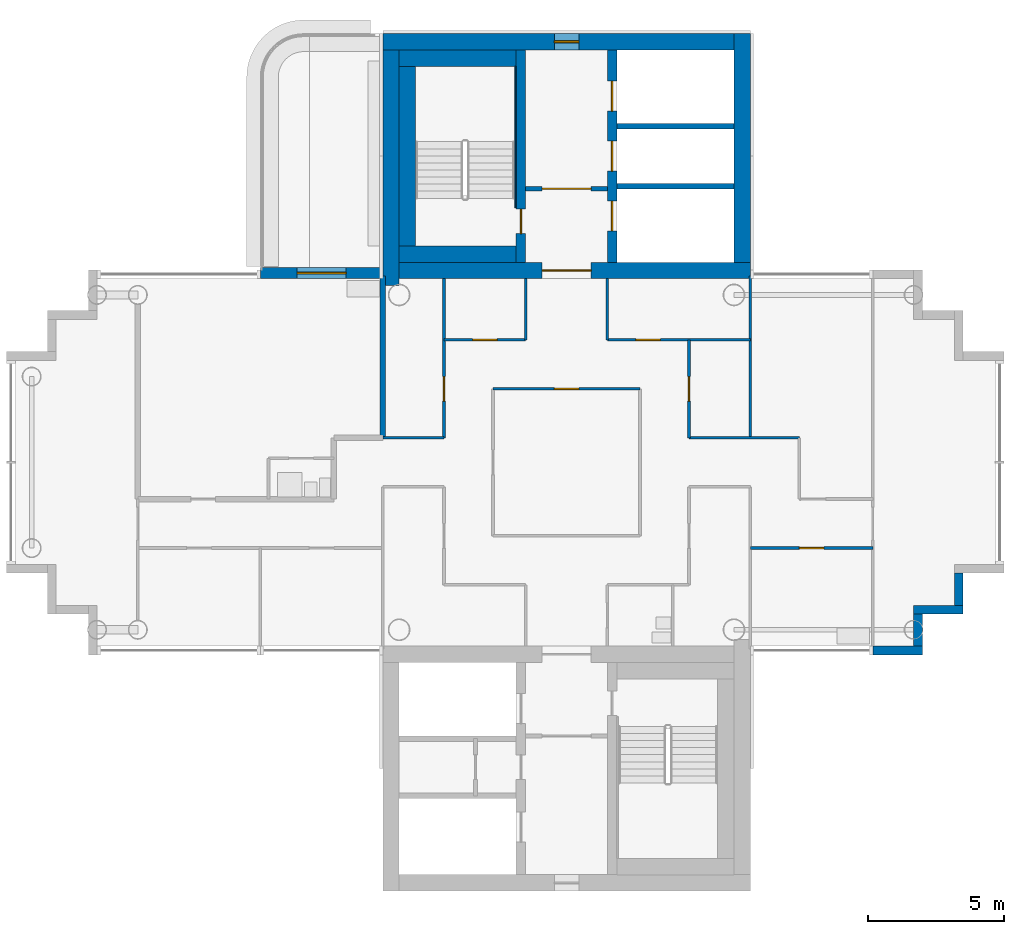
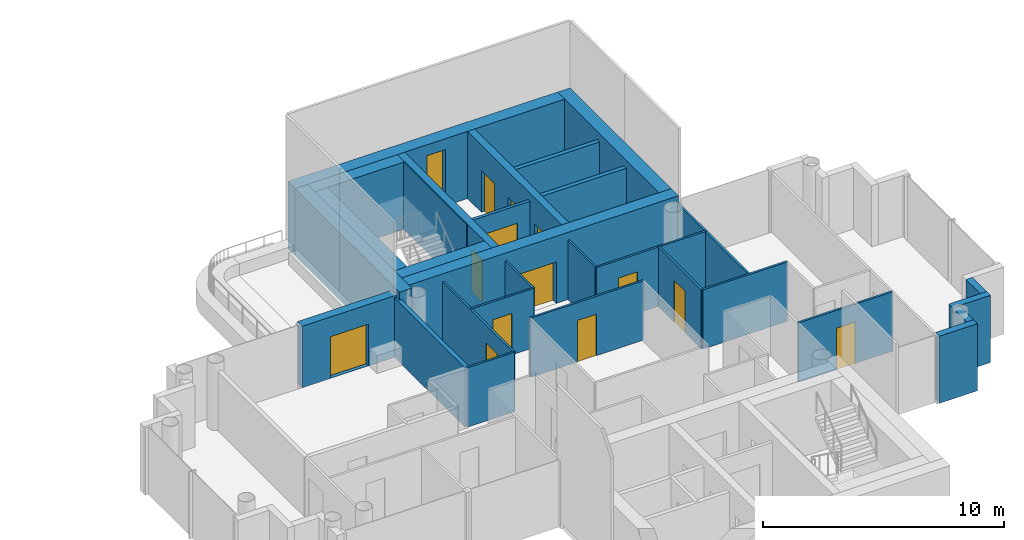
# One storey, part 10 of 18: 30 walls, 13 doors, 1 window, 14 openings.
"""IFC4 building model written with IfcOpenShell, lengths in metres."""

from ifc_helpers import new_model, si_unit, direction, frame, frame_2d, origin, place, context, subcontext, project, spatial, rectangle, extrude, material, layer, layer_set, type_object, element, fill, save


model = new_model("IFC4")

# Units and contexts
model_context = context("Model", 3, precision=1e-05, world=origin(), true_north=direction((0.0, 1.0)))
body_context = subcontext(model_context, "Body", "Model", "MODEL_VIEW")
ifc_project = project(units=[si_unit("LENGTHUNIT", "METRE"), si_unit("AREAUNIT", "SQUARE_METRE"), si_unit("VOLUMEUNIT", "CUBIC_METRE"), si_unit("PLANEANGLEUNIT", "RADIAN"), si_unit("MASSUNIT", "GRAM", prefix="KILO")], contexts=[model_context])

# Site, building, storey
site_placement = place(None, origin())
site = spatial("IfcSite", under=ifc_project, at=site_placement, CompositionType="ELEMENT")
building_placement = place(site_placement, origin())
building = spatial("IfcBuilding", under=site, at=building_placement, Name="Ipe Terrace Towers", CompositionType="ELEMENT")
storey_placement = place(building_placement, frame((0.0, 0.0, 226.60009765625)))
storey = spatial("IfcBuildingStorey", under=building, at=storey_placement, Name="L63", CompositionType="ELEMENT", Elevation=226.60009765625)

# Wall, opening, door
ifc_material_1 = material(Name="Concrete C40/50 with buff precast cladding", Category="concrete")
ifc_layer_1 = layer(ifc_material_1, 0.39990234375)
ifc_layer_set_1 = layer_set([ifc_layer_1], Name="BALCONY BAY WALL 400")
wall_type_1 = type_object("IfcWallType", Name="BALCONY BAY WALL 400", PredefinedType="STANDARD", material=ifc_layer_set_1)
wall_1_placement = place(storey_placement, frame((29.25, 6.949951171875, -0.02001953125), z_axis=(0.0, 0.0, 1.0), x_axis=(-1.0, 0.0, 0.0)))
wall_1 = element("IfcWall", 1, at=wall_1_placement, inside=storey, type_object=wall_type_1, Name="T2-W-L63-20a wall", PredefinedType="STANDARD", context=body_context, shape_type="SweptSolid", body=[
    extrude(rectangle(XDim=4.5, YDim=0.39990234375, at=frame_2d((2.25, 0.0))), origin(), (0.0, 0.0, 1.0), 3.119873046875),
])
opening_1_placement = place(wall_1_placement, frame((1.35009765625, 0.0, 0.02001953125)))
opening_1 = element("IfcOpeningElement", 2, at=opening_1_placement, cuts=wall_1, Name="Opening T2-D-L63-20", PredefinedType="OPENING", context=body_context, shape_type="SweptSolid", body=[
    extrude(rectangle(XDim=1.800048828125, YDim=2.10009765625, at=frame_2d((0.89990234375, 1.050048828125))), frame((0.0, 0.2099609375, 0.0), z_axis=(0.0, -1.0, 0.0), x_axis=(1.0, 0.0, 0.0)), (0.0, 0.0, 1.0), 0.419921875),
])
ifc_material_2 = material(Name="Aluminium alloy 6063-T6 framed glazed door", Category="aluminium")
door_type_1 = type_object("IfcDoorType", Name="BALCONY DOOR 1800 x 2100 RIGHT", OperationType="SINGLE_SWING_RIGHT", PredefinedType="DOOR", material=ifc_material_2)
door_1_placement = place(opening_1_placement, origin())
door_1 = element("IfcDoor", 3, at=door_1_placement, inside=storey, type_object=door_type_1, Name="DB2 door", OperationType="SINGLE_SWING_RIGHT", OverallHeight=2.10009765625, OverallWidth=1.800048828125, PredefinedType="DOOR", context=body_context, shape_type="SweptSolid", body=[
    extrude(rectangle(XDim=1.800048828125, YDim=2.10009765625, at=frame_2d((0.89990234375, 1.050048828125))), frame((0.0, 0.02490234375, 0.0), z_axis=(0.0, -1.0, 0.0), x_axis=(1.0, 0.0, 0.0)), (0.0, 0.0, 1.0), 0.050048828125),
])
fill(opening_1, door_1)

# Walls
ifc_material_3 = material(Name="Concrete C40/50 with buff precast cladding", Category="concrete")
ifc_layer_2 = layer(ifc_material_3, 0.320068359375)
ifc_layer_set_2 = layer_set([ifc_layer_2], Name="BUFF CLADDING WALL 320")
wall_type_2 = type_object("IfcWallType", Name="BUFF CLADDING WALL 320", PredefinedType="STANDARD", material=ifc_layer_set_2)
wall_2_placement = place(storey_placement, frame((47.25, -6.909912109375, -0.300048828125), z_axis=(0.0, 0.0, 1.0), x_axis=(1.0, 0.0, 0.0)))
element("IfcWall", 4, at=wall_2_placement, inside=storey, type_object=wall_type_2, Name="T2-W-L63-03a wall", PredefinedType="STANDARD", context=body_context, shape_type="SweptSolid", body=[
    extrude(rectangle(XDim=1.820068359375, YDim=0.320068359375, at=frame_2d((0.91015625, 0.0))), origin(), (0.0, 0.0, 1.0), 3.39990234375),
])
wall_3_placement = place(storey_placement, frame((48.909912109375, -6.75, -0.300048828125), z_axis=(0.0, 0.0, 1.0), x_axis=(0.0, 1.0, 0.0)))
element("IfcWall", 5, at=wall_3_placement, inside=storey, type_object=wall_type_2, Name="T2-W-L63-04a wall", PredefinedType="STANDARD", context=body_context, shape_type="SweptSolid", body=[
    extrude(rectangle(XDim=1.179931640625, YDim=0.320068359375, at=frame_2d((0.58984375, 0.0))), origin(), (0.0, 0.0, 1.0), 3.39990234375),
])
wall_4_placement = place(storey_placement, frame((48.75, -5.409912109375, -0.300048828125), z_axis=(0.0, 0.0, 1.0), x_axis=(1.0, 0.0, 0.0)))
element("IfcWall", 6, at=wall_4_placement, inside=storey, type_object=wall_type_2, Name="T2-W-L63-05a wall", PredefinedType="STANDARD", context=body_context, shape_type="SweptSolid", body=[
    extrude(rectangle(XDim=1.820068359375, YDim=0.320068359375, at=frame_2d((0.91015625, 0.0))), origin(), (0.0, 0.0, 1.0), 3.39990234375),
])
wall_5_placement = place(storey_placement, frame((50.409912109375, -5.25, -0.300048828125), z_axis=(0.0, 0.0, 1.0), x_axis=(0.0, 1.0, 0.0)))
element("IfcWall", 7, at=wall_5_placement, inside=storey, type_object=wall_type_2, Name="T2-W-L63-06a wall", PredefinedType="STANDARD", context=body_context, shape_type="SweptSolid", body=[
    extrude(rectangle(XDim=1.179931640625, YDim=0.320068359375, at=frame_2d((0.58984375, 0.0))), origin(), (0.0, 0.0, 1.0), 3.39990234375),
])

# Wall, opening, door
ifc_material_4 = material(Name="Gypsum board partition", Category="plasterboard")
ifc_layer_3 = layer(ifc_material_4, 0.10009765625)
ifc_layer_set_3 = layer_set([ifc_layer_3], Name="Gypsum board partition 100 mm")
wall_type_3 = type_object("IfcWallType", Name="Gypsum board partition 100 mm", PredefinedType="PARTITIONING", material=ifc_layer_set_3)
wall_6_placement = place(storey_placement, frame((47.25, -3.14990234375, 0.0), z_axis=(0.0, 0.0, 1.0), x_axis=(-1.0, 0.0, 0.0)))
wall_6 = element("IfcWall", 8, at=wall_6_placement, inside=storey, type_object=wall_type_3, Name="Gypsum board partition T2 L63 W03", PredefinedType="PARTITIONING", context=body_context, shape_type="SweptSolid", body=[
    extrude(rectangle(XDim=4.5, YDim=0.10009765625, at=frame_2d((2.25, 0.0))), origin(), (0.0, 0.0, 1.0), 3.0),
])
opening_2_placement = place(wall_6_placement, frame((1.800048828125, 0.0, 0.0)))
opening_2 = element("IfcOpeningElement", 9, at=opening_2_placement, cuts=wall_6, Name="Opening T2-Z4A-16", PredefinedType="OPENING", context=body_context, shape_type="SweptSolid", body=[
    extrude(rectangle(XDim=0.89990234375, YDim=2.10009765625, at=frame_2d((0.449951171875, 1.050048828125))), frame((0.0, 0.06005859375, 0.0), z_axis=(0.0, -1.0, 0.0), x_axis=(1.0, 0.0, 0.0)), (0.0, 0.0, 1.0), 0.1201171875),
])
ifc_material_5 = material(Name="Timber door leaf", Category="wood")
door_type_2 = type_object("IfcDoorType", Name="Lounge door 900 x 2100", OperationType="NOTDEFINED", PredefinedType="DOOR", material=ifc_material_5)
door_2_placement = place(opening_2_placement, origin())
door_2 = element("IfcDoor", 10, at=door_2_placement, inside=storey, type_object=door_type_2, Name="Lounge door T2-Z4A-16", OperationType="SINGLE_SWING_LEFT", OverallHeight=2.10009765625, OverallWidth=0.89990234375, PredefinedType="DOOR", context=body_context, shape_type="SweptSolid", body=[
    extrude(rectangle(XDim=0.89990234375, YDim=2.10009765625, at=frame_2d((0.449951171875, 1.050048828125))), frame((0.0, 0.02490234375, 0.0), z_axis=(0.0, -1.0, 0.0), x_axis=(1.0, 0.0, 0.0)), (0.0, 0.0, 1.0), 0.050048828125),
])
fill(opening_2, door_2)

# Walls
wall_7_placement = place(storey_placement, frame((44.550048828125, 0.89990234375, 0.0), z_axis=(0.0, 0.0, 1.0), x_axis=(-1.0, 0.0, 0.0)))
element("IfcWall", 11, at=wall_7_placement, inside=storey, type_object=wall_type_3, Name="Gypsum board partition T2 L63 W11", PredefinedType="PARTITIONING", context=body_context, shape_type="SweptSolid", body=[
    extrude(rectangle(XDim=4.050048828125, YDim=0.10009765625, at=frame_2d((2.02490234375, 0.0))), origin(), (0.0, 0.0, 1.0), 3.0),
])
wall_8_placement = place(storey_placement, frame((31.5, 0.89990234375, 0.0), z_axis=(0.0, 0.0, 1.0), x_axis=(-1.0, 0.0, 0.0)))
element("IfcWall", 12, at=wall_8_placement, inside=storey, type_object=wall_type_3, Name="Gypsum board partition T2 L63 W12", PredefinedType="PARTITIONING", context=body_context, shape_type="SweptSolid", body=[
    extrude(rectangle(XDim=2.25, YDim=0.10009765625, at=frame_2d((1.125, 0.0))), origin(), (0.0, 0.0, 1.0), 3.0),
])

# Wall, opening, door
wall_9_placement = place(storey_placement, frame((38.699951171875, 2.699951171875, 0.0), z_axis=(0.0, 0.0, 1.0), x_axis=(-1.0, 0.0, 0.0)))
wall_9 = element("IfcWall", 13, at=wall_9_placement, inside=storey, type_object=wall_type_3, Name="Gypsum board partition T2 L63 W14", PredefinedType="PARTITIONING", context=body_context, shape_type="SweptSolid", body=[
    extrude(rectangle(XDim=5.39990234375, YDim=0.10009765625, at=frame_2d((2.699951171875, 0.0))), origin(), (0.0, 0.0, 1.0), 3.0),
])
opening_3_placement = place(wall_9_placement, frame((2.25, 0.0, 0.0)))
opening_3 = element("IfcOpeningElement", 14, at=opening_3_placement, cuts=wall_9, Name="Opening T2-Z4A-02", PredefinedType="OPENING", context=body_context, shape_type="SweptSolid", body=[
    extrude(rectangle(XDim=0.89990234375, YDim=2.10009765625, at=frame_2d((0.449951171875, 1.050048828125))), frame((0.0, 0.06005859375, 0.0), z_axis=(0.0, -1.0, 0.0), x_axis=(1.0, 0.0, 0.0)), (0.0, 0.0, 1.0), 0.1201171875),
])
door_3_placement = place(opening_3_placement, origin())
door_3 = element("IfcDoor", 15, at=door_3_placement, inside=storey, type_object=door_type_2, Name="Lounge door T2-Z4A-02", OperationType="SINGLE_SWING_LEFT", OverallHeight=2.10009765625, OverallWidth=0.89990234375, PredefinedType="DOOR", context=body_context, shape_type="SweptSolid", body=[
    extrude(rectangle(XDim=0.89990234375, YDim=2.10009765625, at=frame_2d((0.449951171875, 1.050048828125))), frame((0.0, 0.02490234375, 0.0), z_axis=(0.0, -1.0, 0.0), x_axis=(1.0, 0.0, 0.0)), (0.0, 0.0, 1.0), 0.050048828125),
])
fill(opening_3, door_3)

wall_10_placement = place(storey_placement, frame((42.75, 4.5, 0.0), z_axis=(0.0, 0.0, 1.0), x_axis=(-1.0, 0.0, 0.0)))
wall_10 = element("IfcWall", 16, at=wall_10_placement, inside=storey, type_object=wall_type_3, Name="Gypsum board partition T2 L63 W15", PredefinedType="PARTITIONING", context=body_context, shape_type="SweptSolid", body=[
    extrude(rectangle(XDim=5.25, YDim=0.10009765625, at=frame_2d((2.625, 0.0))), origin(), (0.0, 0.0, 1.0), 3.0),
])
opening_4_placement = place(wall_10_placement, frame((3.300048828125, 0.0, 0.0)))
opening_4 = element("IfcOpeningElement", 17, at=opening_4_placement, cuts=wall_10, Name="Opening T2-Z4A-09", PredefinedType="OPENING", context=body_context, shape_type="SweptSolid", body=[
    extrude(rectangle(XDim=0.89990234375, YDim=2.10009765625, at=frame_2d((0.449951171875, 1.050048828125))), frame((0.0, 0.06005859375, 0.0), z_axis=(0.0, -1.0, 0.0), x_axis=(1.0, 0.0, 0.0)), (0.0, 0.0, 1.0), 0.1201171875),
])
door_4_placement = place(opening_4_placement, origin())
door_4 = element("IfcDoor", 18, at=door_4_placement, inside=storey, type_object=door_type_2, Name="Lounge door T2-Z4A-09", OperationType="SINGLE_SWING_RIGHT", OverallHeight=2.10009765625, OverallWidth=0.89990234375, PredefinedType="DOOR", context=body_context, shape_type="SweptSolid", body=[
    extrude(rectangle(XDim=0.89990234375, YDim=2.10009765625, at=frame_2d((0.449951171875, 1.050048828125))), frame((0.0, 0.02490234375, 0.0), z_axis=(0.0, -1.0, 0.0), x_axis=(1.0, 0.0, 0.0)), (0.0, 0.0, 1.0), 0.050048828125),
])
fill(opening_4, door_4)

wall_11_placement = place(storey_placement, frame((34.5, 4.5, 0.0), z_axis=(0.0, 0.0, 1.0), x_axis=(-1.0, 0.0, 0.0)))
wall_11 = element("IfcWall", 19, at=wall_11_placement, inside=storey, type_object=wall_type_3, Name="Gypsum board partition T2 L63 W16", PredefinedType="PARTITIONING", context=body_context, shape_type="SweptSolid", body=[
    extrude(rectangle(XDim=3.0, YDim=0.10009765625, at=frame_2d((1.5, 0.0))), origin(), (0.0, 0.0, 1.0), 3.0),
])
opening_5_placement = place(wall_11_placement, frame((1.050048828125, 0.0, 0.0)))
opening_5 = element("IfcOpeningElement", 20, at=opening_5_placement, cuts=wall_11, Name="Opening T2-Z4A-05", PredefinedType="OPENING", context=body_context, shape_type="SweptSolid", body=[
    extrude(rectangle(XDim=0.89990234375, YDim=2.10009765625, at=frame_2d((0.449951171875, 1.050048828125))), frame((0.0, 0.06005859375, 0.0), z_axis=(0.0, -1.0, 0.0), x_axis=(1.0, 0.0, 0.0)), (0.0, 0.0, 1.0), 0.1201171875),
])
door_5_placement = place(opening_5_placement, origin())
door_5 = element("IfcDoor", 21, at=door_5_placement, inside=storey, type_object=door_type_2, Name="Lounge door T2-Z4A-05", OperationType="SINGLE_SWING_RIGHT", OverallHeight=2.10009765625, OverallWidth=0.89990234375, PredefinedType="DOOR", context=body_context, shape_type="SweptSolid", body=[
    extrude(rectangle(XDim=0.89990234375, YDim=2.10009765625, at=frame_2d((0.449951171875, 1.050048828125))), frame((0.0, 0.02490234375, 0.0), z_axis=(0.0, -1.0, 0.0), x_axis=(1.0, 0.0, 0.0)), (0.0, 0.0, 1.0), 0.050048828125),
])
fill(opening_5, door_5)

# Wall
wall_12_placement = place(storey_placement, frame((42.75, 0.89990234375, 0.0), z_axis=(0.0, 0.0, 1.0), x_axis=(0.0, 1.0, 0.0)))
element("IfcWall", 22, at=wall_12_placement, inside=storey, type_object=wall_type_3, Name="Gypsum board partition T2 L63 W20", PredefinedType="PARTITIONING", context=body_context, shape_type="SweptSolid", body=[
    extrude(rectangle(XDim=5.9501953125, YDim=0.10009765625, at=frame_2d((2.97509765625, 0.0))), origin(), (0.0, 0.0, 1.0), 3.0),
])

# Wall, opening, door
wall_13_placement = place(storey_placement, frame((40.5, 0.89990234375, 0.0), z_axis=(0.0, 0.0, 1.0), x_axis=(0.0, 1.0, 0.0)))
wall_13 = element("IfcWall", 23, at=wall_13_placement, inside=storey, type_object=wall_type_3, Name="Gypsum board partition T2 L63 W22", PredefinedType="PARTITIONING", context=body_context, shape_type="SweptSolid", body=[
    extrude(rectangle(XDim=3.60009765625, YDim=0.10009765625, at=frame_2d((1.800048828125, 0.0))), origin(), (0.0, 0.0, 1.0), 3.0),
])
opening_6_placement = place(wall_13_placement, frame((1.35009765625, 0.0, 0.0)))
opening_6 = element("IfcOpeningElement", 24, at=opening_6_placement, cuts=wall_13, Name="Opening T2-Z4A-08", PredefinedType="OPENING", context=body_context, shape_type="SweptSolid", body=[
    extrude(rectangle(XDim=0.89990234375, YDim=2.10009765625, at=frame_2d((0.449951171875, 1.050048828125))), frame((0.0, 0.06005859375, 0.0), z_axis=(0.0, -1.0, 0.0), x_axis=(1.0, 0.0, 0.0)), (0.0, 0.0, 1.0), 0.1201171875),
])
door_6_placement = place(opening_6_placement, origin())
door_6 = element("IfcDoor", 25, at=door_6_placement, inside=storey, type_object=door_type_2, Name="Lounge door T2-Z4A-08", OperationType="SINGLE_SWING_RIGHT", OverallHeight=2.10009765625, OverallWidth=0.89990234375, PredefinedType="DOOR", context=body_context, shape_type="SweptSolid", body=[
    extrude(rectangle(XDim=0.89990234375, YDim=2.10009765625, at=frame_2d((0.449951171875, 1.050048828125))), frame((0.0, 0.02490234375, 0.0), z_axis=(0.0, -1.0, 0.0), x_axis=(1.0, 0.0, 0.0)), (0.0, 0.0, 1.0), 0.050048828125),
])
fill(opening_6, door_6)

# Walls
for number, where, z_axis, x_axis, name in (
    (26, (37.5, 4.5, 0.0), (0.0, 0.0, 1.0), (0.0, 1.0, 0.0), "Gypsum board partition T2 L63 W26"),
    (27, (34.5, 4.5, 0.0), (0.0, 0.0, 1.0), (0.0, 1.0, 0.0), "Gypsum board partition T2 L63 W28"),
):
    element("IfcWall", number, at=place(storey_placement, frame(where, z_axis=z_axis, x_axis=x_axis)), inside=storey, type_object=wall_type_3, Name=name, PredefinedType="PARTITIONING", context=body_context, shape_type="SweptSolid", body=[
        extrude(rectangle(XDim=2.25, YDim=0.10009765625, at=frame_2d((1.125, 0.0))), origin(), (0.0, 0.0, 1.0), 3.0),
    ])

# Wall, opening, door
wall_14_placement = place(storey_placement, frame((31.5, 0.89990234375, 0.0), z_axis=(0.0, 0.0, 1.0), x_axis=(0.0, 1.0, 0.0)))
wall_14 = element("IfcWall", 28, at=wall_14_placement, inside=storey, type_object=wall_type_3, Name="Gypsum board partition T2 L63 W31", PredefinedType="PARTITIONING", context=body_context, shape_type="SweptSolid", body=[
    extrude(rectangle(XDim=5.85009765625, YDim=0.10009765625, at=frame_2d((2.925048828125, 0.0))), origin(), (0.0, 0.0, 1.0), 3.0),
])
opening_7_placement = place(wall_14_placement, frame((1.35009765625, 0.0, 0.0)))
opening_7 = element("IfcOpeningElement", 29, at=opening_7_placement, cuts=wall_14, Name="Opening T2-Z4A-04", PredefinedType="OPENING", context=body_context, shape_type="SweptSolid", body=[
    extrude(rectangle(XDim=0.89990234375, YDim=2.10009765625, at=frame_2d((0.449951171875, 1.050048828125))), frame((0.0, 0.06005859375, 0.0), z_axis=(0.0, -1.0, 0.0), x_axis=(1.0, 0.0, 0.0)), (0.0, 0.0, 1.0), 0.1201171875),
])
door_7_placement = place(opening_7_placement, origin())
door_7 = element("IfcDoor", 30, at=door_7_placement, inside=storey, type_object=door_type_2, Name="Lounge door T2-Z4A-04", OperationType="SINGLE_SWING_RIGHT", OverallHeight=2.10009765625, OverallWidth=0.89990234375, PredefinedType="DOOR", context=body_context, shape_type="SweptSolid", body=[
    extrude(rectangle(XDim=0.89990234375, YDim=2.10009765625, at=frame_2d((0.449951171875, 1.050048828125))), frame((0.0, 0.02490234375, 0.0), z_axis=(0.0, -1.0, 0.0), x_axis=(1.0, 0.0, 0.0)), (0.0, 0.0, 1.0), 0.050048828125),
])
fill(opening_7, door_7)

ifc_material_6 = material(Name="Gypsum board partition", Category="plasterboard")
ifc_layer_4 = layer(ifc_material_6, 0.14990234375)
ifc_layer_set_4 = layer_set([ifc_layer_4], Name="Gypsum board partition 150 mm")
wall_type_4 = type_object("IfcWallType", Name="Gypsum board partition 150 mm", PredefinedType="PARTITIONING", material=ifc_layer_set_4)
wall_15_placement = place(storey_placement, frame((37.5, 10.050048828125, 0.0), z_axis=(0.0, 0.0, 1.0), x_axis=(-1.0, 0.0, 0.0)))
wall_15 = element("IfcWall", 31, at=wall_15_placement, inside=storey, type_object=wall_type_4, Name="Gypsum board partition T2 L63 t2c1-lobby-wall", PredefinedType="PARTITIONING", context=body_context, shape_type="SweptSolid", body=[
    extrude(rectangle(XDim=3.0, YDim=0.14990234375, at=frame_2d((1.5, 0.0))), origin(), (0.0, 0.0, 1.0), 3.0),
])
opening_8_placement = place(wall_15_placement, frame((0.60009765625, 0.0, 0.0)))
opening_8 = element("IfcOpeningElement", 32, at=opening_8_placement, cuts=wall_15, Name="Opening T2C1-VD", PredefinedType="OPENING", context=body_context, shape_type="SweptSolid", body=[
    extrude(rectangle(XDim=1.800048828125, YDim=2.10009765625, at=frame_2d((0.89990234375, 1.050048828125))), frame((0.0, 0.0849609375, 0.0), z_axis=(0.0, -1.0, 0.0), x_axis=(1.0, 0.0, 0.0)), (0.0, 0.0, 1.0), 0.169921875),
])
ifc_material_7 = material(Name="Fire-rated timber door leaf", Category="wood")
door_type_3 = type_object("IfcDoorType", Name="Lobby door 1800 x 2100 FD60", OperationType="NOTDEFINED", PredefinedType="DOOR", material=ifc_material_7)
door_8_placement = place(opening_8_placement, origin())
door_8 = element("IfcDoor", 33, at=door_8_placement, inside=storey, type_object=door_type_3, Name="Lobby door T2C1-VD", OperationType="SINGLE_SWING_LEFT", OverallHeight=2.10009765625, OverallWidth=1.800048828125, PredefinedType="DOOR", context=body_context, shape_type="SweptSolid", body=[
    extrude(rectangle(XDim=1.800048828125, YDim=2.10009765625, at=frame_2d((0.89990234375, 1.050048828125))), frame((0.0, 0.02490234375, 0.0), z_axis=(0.0, -1.0, 0.0), x_axis=(1.0, 0.0, 0.0)), (0.0, 0.0, 1.0), 0.050048828125),
])
fill(opening_8, door_8)

# Walls
ifc_material_8 = material(Name="Gypsum board party wall", Category="plasterboard")
ifc_layer_5 = layer(ifc_material_8, 0.199951171875)
ifc_layer_set_5 = layer_set([ifc_layer_5], Name="Gypsum board party wall 200 mm")
wall_type_5 = type_object("IfcWallType", Name="Gypsum board party wall 200 mm", PredefinedType="SOLIDWALL", material=ifc_layer_set_5)
for number, where, z_axis, x_axis, name in (
    (34, (42.14990234375, 10.14990234375, 0.0), (0.0, 0.0, 1.0), (-1.0, 0.0, 0.0), "Gypsum board party wall T2 L63 t2c1-shaft-div1"),
    (35, (42.14990234375, 12.35009765625, 0.0), (0.0, 0.0, 1.0), (-1.0, 0.0, 0.0), "Gypsum board party wall T2 L63 t2c1-shaft-div2"),
):
    element("IfcWall", number, at=place(storey_placement, frame(where, z_axis=z_axis, x_axis=x_axis)), inside=storey, type_object=wall_type_5, Name=name, PredefinedType="SOLIDWALL", context=body_context, shape_type="SweptSolid", body=[
        extrude(rectangle(XDim=4.2998046875, YDim=0.199951171875, at=frame_2d((2.14990234375, 0.0))), origin(), (0.0, 0.0, 1.0), 3.0),
    ])
wall_16_placement = place(storey_placement, frame((29.25, 0.89990234375, 0.0), z_axis=(0.0, 0.0, 1.0), x_axis=(0.0, 1.0, 0.0)))
element("IfcWall", 36, at=wall_16_placement, inside=storey, type_object=wall_type_5, Name="Gypsum board party wall T2 L63 W33", PredefinedType="SOLIDWALL", context=body_context, shape_type="SweptSolid", body=[
    extrude(rectangle(XDim=5.9501953125, YDim=0.199951171875, at=frame_2d((2.97509765625, 0.0))), origin(), (0.0, 0.0, 1.0), 3.0),
])

# Wall, opening, door
ifc_material_9 = material(Name="Concrete C40/50", Category="concrete")
ifc_layer_6 = layer(ifc_material_9, 0.35009765625)
ifc_layer_set_6 = layer_set([ifc_layer_6], Name="RW350 CORE SPINE WALL 350 C40-50")
wall_type_6 = type_object("IfcWallType", Name="RW350 CORE SPINE WALL 350 C40-50", PredefinedType="SHEAR", material=ifc_layer_set_6)
wall_17_placement = place(storey_placement, frame((34.324951171875, 7.35009765625, 0.0), z_axis=(0.0, 0.0, 1.0), x_axis=(0.0, 1.0, 0.0)))
wall_17 = element("IfcWall", 37, at=wall_17_placement, inside=storey, type_object=wall_type_6, Name="Core spine wall T2-C1-Z4-SW1", PredefinedType="SHEAR", context=body_context, shape_type="SweptSolid", body=[
    extrude(rectangle(XDim=7.7998046875, YDim=0.35009765625, at=frame_2d((3.89990234375, 0.0))), origin(), (0.0, 0.0, 1.0), 3.39990234375),
])
opening_9_placement = place(wall_17_placement, frame((1.050048828125, 0.0, 0.0)))
opening_9 = element("IfcOpeningElement", 38, at=opening_9_placement, cuts=wall_17, Name="Opening T2C1-SD", PredefinedType="OPENING", context=body_context, shape_type="SweptSolid", body=[
    extrude(rectangle(XDim=0.89990234375, YDim=2.10009765625, at=frame_2d((0.449951171875, 1.050048828125))), frame((0.0, 0.18505859375, 0.0), z_axis=(0.0, -1.0, 0.0), x_axis=(1.0, 0.0, 0.0)), (0.0, 0.0, 1.0), 0.3701171875),
])
ifc_material_10 = material(Name="Fire-rated timber door leaf", Category="wood")
door_type_4 = type_object("IfcDoorType", Name="Stair door 900 x 2100 FD60", OperationType="NOTDEFINED", PredefinedType="DOOR", material=ifc_material_10)
door_9_placement = place(opening_9_placement, origin())
door_9 = element("IfcDoor", 39, at=door_9_placement, inside=storey, type_object=door_type_4, Name="Stair door T2C1-SD", OperationType="SINGLE_SWING_LEFT", OverallHeight=2.10009765625, OverallWidth=0.89990234375, PredefinedType="DOOR", context=body_context, shape_type="SweptSolid", body=[
    extrude(rectangle(XDim=0.89990234375, YDim=2.10009765625, at=frame_2d((0.449951171875, 1.050048828125))), frame((0.0, 0.02490234375, 0.0), z_axis=(0.0, -1.0, 0.0), x_axis=(1.0, 0.0, 0.0)), (0.0, 0.0, 1.0), 0.050048828125),
])
fill(opening_9, door_9)

# Wall, openings, doors
wall_18_placement = place(storey_placement, frame((37.675048828125, 7.35009765625, 0.0), z_axis=(0.0, 0.0, 1.0), x_axis=(0.0, 1.0, 0.0)))
wall_18 = element("IfcWall", 40, at=wall_18_placement, inside=storey, type_object=wall_type_6, Name="Core spine wall T2-C1-Z4-SW2", PredefinedType="SHEAR", context=body_context, shape_type="SweptSolid", body=[
    extrude(rectangle(XDim=7.7998046875, YDim=0.35009765625, at=frame_2d((3.89990234375, 0.0))), origin(), (0.0, 0.0, 1.0), 3.39990234375),
])
opening_10_placement = place(wall_18_placement, frame((1.14990234375, 0.0, 0.0)))
opening_10 = element("IfcOpeningElement", 41, at=opening_10_placement, cuts=wall_18, Name="Opening T2C1-LD1", PredefinedType="OPENING", context=body_context, shape_type="SweptSolid", body=[
    extrude(rectangle(XDim=1.10009765625, YDim=2.10009765625, at=frame_2d((0.550048828125, 1.050048828125))), frame((0.0, 0.18505859375, 0.0), z_axis=(0.0, -1.0, 0.0), x_axis=(1.0, 0.0, 0.0)), (0.0, 0.0, 1.0), 0.3701171875),
])
opening_11_placement = place(wall_18_placement, frame((3.35009765625, 0.0, 0.0)))
opening_11 = element("IfcOpeningElement", 42, at=opening_11_placement, cuts=wall_18, Name="Opening T2C1-LD2", PredefinedType="OPENING", context=body_context, shape_type="SweptSolid", body=[
    extrude(rectangle(XDim=1.10009765625, YDim=2.10009765625, at=frame_2d((0.550048828125, 1.050048828125))), frame((0.0, 0.18505859375, 0.0), z_axis=(0.0, -1.0, 0.0), x_axis=(1.0, 0.0, 0.0)), (0.0, 0.0, 1.0), 0.3701171875),
])
opening_12_placement = place(wall_18_placement, frame((5.550048828125, 0.0, 0.0)))
opening_12 = element("IfcOpeningElement", 43, at=opening_12_placement, cuts=wall_18, Name="Opening T2C1-LD3", PredefinedType="OPENING", context=body_context, shape_type="SweptSolid", body=[
    extrude(rectangle(XDim=1.10009765625, YDim=2.10009765625, at=frame_2d((0.550048828125, 1.050048828125))), frame((0.0, 0.18505859375, 0.0), z_axis=(0.0, -1.0, 0.0), x_axis=(1.0, 0.0, 0.0)), (0.0, 0.0, 1.0), 0.3701171875),
])
ifc_material_11 = material(Name="Fire-rated timber door leaf", Category="wood")
door_type_5 = type_object("IfcDoorType", Name="Sliding door 1100 x 2100 FD60", OperationType="SLIDING_TO_LEFT", PredefinedType="DOOR", material=ifc_material_11)
door_10_placement = place(opening_10_placement, origin())
door_10 = element("IfcDoor", 44, at=door_10_placement, inside=storey, type_object=door_type_5, Name="Sliding door T2C1-LD1", OperationType="SLIDING_TO_LEFT", OverallHeight=2.10009765625, OverallWidth=1.10009765625, PredefinedType="DOOR", context=body_context, shape_type="SweptSolid", body=[
    extrude(rectangle(XDim=1.10009765625, YDim=2.10009765625, at=frame_2d((0.550048828125, 1.050048828125))), frame((0.0, 0.02490234375, 0.0), z_axis=(0.0, -1.0, 0.0), x_axis=(1.0, 0.0, 0.0)), (0.0, 0.0, 1.0), 0.050048828125),
])
fill(opening_10, door_10)
door_11_placement = place(opening_11_placement, origin())
door_11 = element("IfcDoor", 45, at=door_11_placement, inside=storey, type_object=door_type_5, Name="Sliding door T2C1-LD2", OperationType="SLIDING_TO_LEFT", OverallHeight=2.10009765625, OverallWidth=1.10009765625, PredefinedType="DOOR", context=body_context, shape_type="SweptSolid", body=[
    extrude(rectangle(XDim=1.10009765625, YDim=2.10009765625, at=frame_2d((0.550048828125, 1.050048828125))), frame((0.0, 0.02490234375, 0.0), z_axis=(0.0, -1.0, 0.0), x_axis=(1.0, 0.0, 0.0)), (0.0, 0.0, 1.0), 0.050048828125),
])
fill(opening_11, door_11)
door_12_placement = place(opening_12_placement, origin())
door_12 = element("IfcDoor", 46, at=door_12_placement, inside=storey, type_object=door_type_5, Name="Sliding door T2C1-LD3", OperationType="SLIDING_TO_LEFT", OverallHeight=2.10009765625, OverallWidth=1.10009765625, PredefinedType="DOOR", context=body_context, shape_type="SweptSolid", body=[
    extrude(rectangle(XDim=1.10009765625, YDim=2.10009765625, at=frame_2d((0.550048828125, 1.050048828125))), frame((0.0, 0.02490234375, 0.0), z_axis=(0.0, -1.0, 0.0), x_axis=(1.0, 0.0, 0.0)), (0.0, 0.0, 1.0), 0.050048828125),
])
fill(opening_12, door_12)

# Walls
ifc_material_12 = material(Name="Concrete C40/50", Category="concrete")
ifc_layer_7 = layer(ifc_material_12, 0.050048828125)
ifc_layer_set_7 = layer_set([ifc_layer_7], Name="RW50 CORE INFILL WALL 50 C40-50")
wall_type_7 = type_object("IfcWallType", Name="RW50 CORE INFILL WALL 50 C40-50", PredefinedType="SHEAR", material=ifc_layer_set_7)
wall_19_placement = place(storey_placement, frame((34.125, 9.35009765625, 0.0), z_axis=(0.0, 0.0, 1.0), x_axis=(0.0, 1.0, 0.0)))
element("IfcWall", 47, at=wall_19_placement, inside=storey, type_object=wall_type_7, Name="Core infill wall T2-C1-spine-b", PredefinedType="SHEAR", context=body_context, shape_type="SweptSolid", body=[
    extrude(rectangle(XDim=5.199951171875, YDim=0.050048828125, at=frame_2d((2.60009765625, 0.0))), origin(), (0.0, 0.0, 1.0), 3.39990234375),
])
ifc_material_13 = material(Name="Concrete C40/50", Category="concrete")
ifc_layer_8 = layer(ifc_material_13, 0.60009765625)
ifc_layer_set_8 = layer_set([ifc_layer_8], Name="RW600 CORE INFILL WALL 600 C40-50")
wall_type_8 = type_object("IfcWallType", Name="RW600 CORE INFILL WALL 600 C40-50", PredefinedType="SHEAR", material=ifc_layer_set_8)
wall_20_placement = place(storey_placement, frame((34.14990234375, 14.85009765625, 0.0), z_axis=(0.0, 0.0, 1.0), x_axis=(-1.0, 0.0, 0.0)))
element("IfcWall", 48, at=wall_20_placement, inside=storey, type_object=wall_type_8, Name="Core infill wall T2-C1-far", PredefinedType="SHEAR", context=body_context, shape_type="SweptSolid", body=[
    extrude(rectangle(XDim=4.2998046875, YDim=0.60009765625, at=frame_2d((2.14990234375, 0.0))), origin(), (0.0, 0.0, 1.0), 3.39990234375),
])
wall_21_placement = place(storey_placement, frame((30.14990234375, 7.949951171875, 0.0), z_axis=(0.0, 0.0, 1.0), x_axis=(0.0, 1.0, 0.0)))
element("IfcWall", 49, at=wall_21_placement, inside=storey, type_object=wall_type_8, Name="Core infill wall T2-C1-back", PredefinedType="SHEAR", context=body_context, shape_type="SweptSolid", body=[
    extrude(rectangle(XDim=6.60009765625, YDim=0.60009765625, at=frame_2d((3.300048828125, 0.0))), origin(), (0.0, 0.0, 1.0), 3.39990234375),
])
wall_22_placement = place(storey_placement, frame((34.14990234375, 7.64990234375, 0.0), z_axis=(0.0, 0.0, 1.0), x_axis=(-1.0, 0.0, 0.0)))
element("IfcWall", 50, at=wall_22_placement, inside=storey, type_object=wall_type_8, Name="Core infill wall T2-C1-near", PredefinedType="SHEAR", context=body_context, shape_type="SweptSolid", body=[
    extrude(rectangle(XDim=4.2998046875, YDim=0.60009765625, at=frame_2d((2.14990234375, 0.0))), origin(), (0.0, 0.0, 1.0), 3.39990234375),
])

# Wall, opening, door
ifc_material_14 = material(Name="Concrete C40/50", Category="concrete")
ifc_layer_9 = layer(ifc_material_14, 0.60009765625)
ifc_layer_set_9 = layer_set([ifc_layer_9], Name="RW600 CORE WALL 600 C40-50")
wall_type_9 = type_object("IfcWallType", Name="RW600 CORE WALL 600 C40-50", PredefinedType="SHEAR", material=ifc_layer_set_9)
wall_23_placement = place(storey_placement, frame((29.85009765625, 7.050048828125, 0.0), z_axis=(0.0, 0.0, 1.0), x_axis=(1.0, 0.0, 0.0)))
wall_23 = element("IfcWall", 51, at=wall_23_placement, inside=storey, type_object=wall_type_9, Name="Core wall T2-C1-Z4-W01", PredefinedType="SHEAR", context=body_context, shape_type="SweptSolid", body=[
    extrude(rectangle(XDim=12.89990234375, YDim=0.60009765625, at=frame_2d((6.449951171875, 0.0))), origin(), (0.0, 0.0, 1.0), 3.39990234375),
])
opening_13_placement = place(wall_23_placement, frame((5.25, 0.0, 0.0)))
opening_13 = element("IfcOpeningElement", 52, at=opening_13_placement, cuts=wall_23, Name="Opening T2C1-ND", PredefinedType="OPENING", context=body_context, shape_type="SweptSolid", body=[
    extrude(rectangle(XDim=1.800048828125, YDim=2.10009765625, at=frame_2d((0.89990234375, 1.050048828125))), frame((0.0, 0.31005859375, 0.0), z_axis=(0.0, -1.0, 0.0), x_axis=(1.0, 0.0, 0.0)), (0.0, 0.0, 1.0), 0.6201171875),
])
ifc_material_15 = material(Name="Fire-rated timber door leaf", Category="wood")
door_type_6 = type_object("IfcDoorType", Name="Fire door 1800 x 2100 FD30S", OperationType="NOTDEFINED", PredefinedType="DOOR", material=ifc_material_15)
door_13_placement = place(opening_13_placement, origin())
door_13 = element("IfcDoor", 53, at=door_13_placement, inside=storey, type_object=door_type_6, Name="Fire door T2C1-ND", OperationType="SINGLE_SWING_LEFT", OverallHeight=2.10009765625, OverallWidth=1.800048828125, PredefinedType="DOOR", context=body_context, shape_type="SweptSolid", body=[
    extrude(rectangle(XDim=1.800048828125, YDim=2.10009765625, at=frame_2d((0.89990234375, 1.050048828125))), frame((0.0, 0.02490234375, 0.0), z_axis=(0.0, -1.0, 0.0), x_axis=(1.0, 0.0, 0.0)), (0.0, 0.0, 1.0), 0.050048828125),
])
fill(opening_13, door_13)

# Wall
wall_24_placement = place(storey_placement, frame((42.449951171875, 7.35009765625, 0.0), z_axis=(0.0, 0.0, 1.0), x_axis=(0.0, 1.0, 0.0)))
element("IfcWall", 54, at=wall_24_placement, inside=storey, type_object=wall_type_9, Name="Core wall T2-C1-Z4-W02", PredefinedType="SHEAR", context=body_context, shape_type="SweptSolid", body=[
    extrude(rectangle(XDim=8.39990234375, YDim=0.60009765625, at=frame_2d((4.199951171875, 0.0))), origin(), (0.0, 0.0, 1.0), 3.39990234375),
])

# Wall, opening, window
wall_25_placement = place(storey_placement, frame((42.14990234375, 15.449951171875, 0.0), z_axis=(0.0, 0.0, 1.0), x_axis=(-1.0, 0.0, 0.0)))
wall_25 = element("IfcWall", 55, at=wall_25_placement, inside=storey, type_object=wall_type_9, Name="Core wall T2-C1-Z4-W03", PredefinedType="SHEAR", context=body_context, shape_type="SweptSolid", body=[
    extrude(rectangle(XDim=12.89990234375, YDim=0.60009765625, at=frame_2d((6.449951171875, 0.0))), origin(), (0.0, 0.0, 1.0), 3.39990234375),
])
opening_14_placement = place(wall_25_placement, frame((5.699951171875, 0.0, 0.449951171875)))
opening_14 = element("IfcOpeningElement", 56, at=opening_14_placement, cuts=wall_25, Name="Opening T2-C1-W-01-L63", PredefinedType="OPENING", context=body_context, shape_type="SweptSolid", body=[
    extrude(rectangle(XDim=0.89990234375, YDim=2.39990234375, at=frame_2d((0.449951171875, 1.199951171875))), frame((0.0, 0.31005859375, 0.0), z_axis=(0.0, -1.0, 0.0), x_axis=(1.0, 0.0, 0.0)), (0.0, 0.0, 1.0), 0.6201171875),
])
ifc_material_16 = material(Name="Fire-resistant glazing EI 60", Category="glass")
window_type = type_object("IfcWindowType", Name="CORRIDOR END SLOT WINDOW 900 x 2400 EI 60", PartitioningType="SINGLE_PANEL", PredefinedType="WINDOW", material=ifc_material_16)
window_placement = place(opening_14_placement, origin())
window = element("IfcWindow", 57, at=window_placement, inside=storey, type_object=window_type, Name="W-01 window", OverallHeight=2.39990234375, OverallWidth=0.89990234375, PartitioningType="SINGLE_PANEL", PredefinedType="WINDOW", context=body_context, shape_type="SweptSolid", body=[
    extrude(rectangle(XDim=0.89990234375, YDim=2.39990234375, at=frame_2d((0.449951171875, 1.199951171875))), frame((0.0, 0.030029296875, 0.0), z_axis=(0.0, -1.0, 0.0), x_axis=(1.0, 0.0, 0.0)), (0.0, 0.0, 1.0), 0.06005859375),
])
fill(opening_14, window)

# Wall
wall_26_placement = place(storey_placement, frame((29.550048828125, 15.14990234375, 0.0), z_axis=(0.0, 0.0, 1.0), x_axis=(0.0, -1.0, 0.0)))
element("IfcWall", 58, at=wall_26_placement, inside=storey, type_object=wall_type_9, Name="Core wall T2-C1-Z4-W04", PredefinedType="SHEAR", context=body_context, shape_type="SweptSolid", body=[
    extrude(rectangle(XDim=8.64794921875, YDim=0.60009765625, at=frame_2d((4.323974609375, 0.0))), origin(), (0.0, 0.0, 1.0), 3.39990234375),
])

save(model, "model.ifc")
